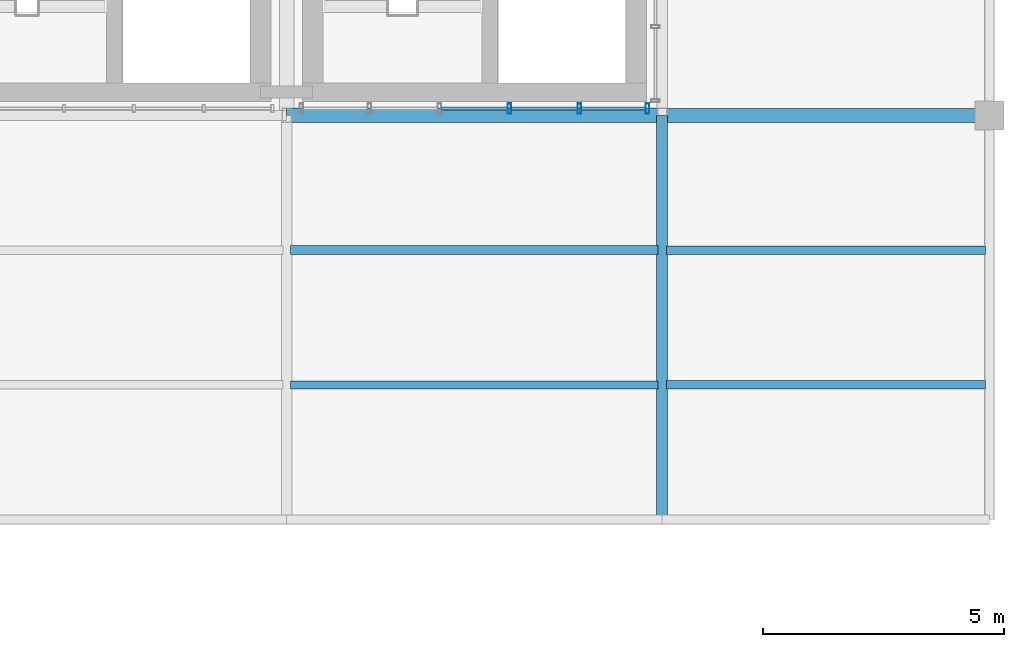
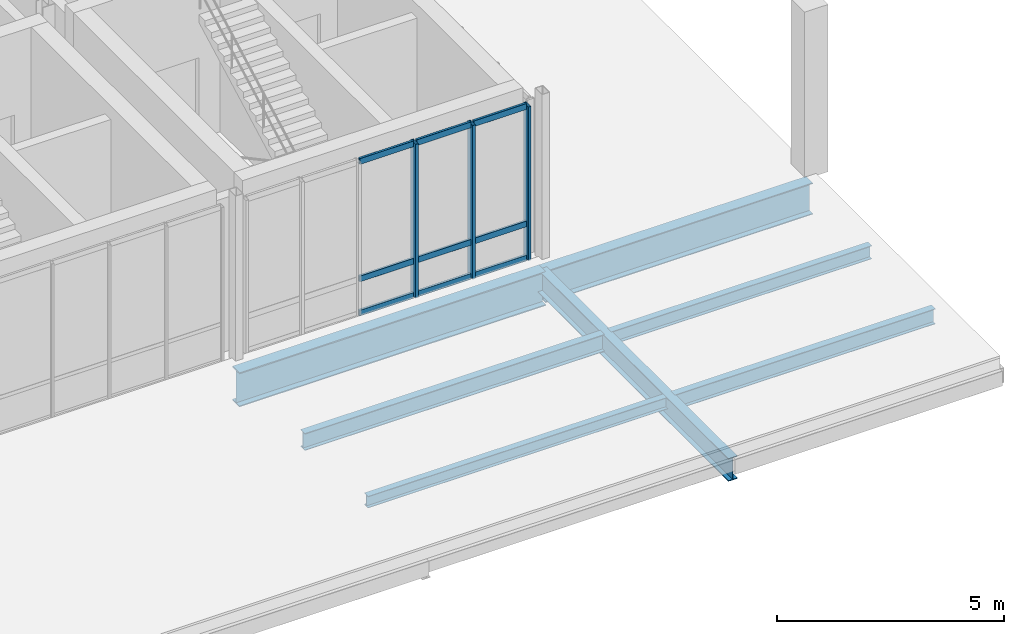
# One storey, part 38 of 66: 12 members, 7 beams, 1 element without a shape of its own.
"""IFC4 building model written with IfcOpenShell, lengths in metres."""

from ifc_helpers import new_model, si_unit, direction, frame, origin_with_axes, origin_2d_with_axis, place, context, subcontext, project, spatial, hollow_rectangle, i_section, extrude, material, material_profile, profile_set, type_object, element, aggregate, save


model = new_model("IFC4")

# Units and contexts
model_context = context("Model", 3, precision=1e-05, world=origin_with_axes(), true_north=direction((0.0, 1.0)))
body_context = subcontext(model_context, "Body", "Model", "MODEL_VIEW")
ifc_project = project(units=[si_unit("LENGTHUNIT", "METRE"), si_unit("AREAUNIT", "SQUARE_METRE"), si_unit("VOLUMEUNIT", "CUBIC_METRE"), si_unit("PLANEANGLEUNIT", "RADIAN"), si_unit("MASSUNIT", "GRAM", prefix="KILO"), si_unit("THERMODYNAMICTEMPERATUREUNIT", "KELVIN")], contexts=[model_context])

# Site, building, storey
site_placement = place(None, origin_with_axes())
site = spatial("IfcSite", under=ifc_project, at=site_placement, CompositionType="ELEMENT")
building_placement = place(site_placement, origin_with_axes())
building = spatial("IfcBuilding", under=site, at=building_placement, Name="Montbau Bow Law Courts", CompositionType="ELEMENT")
storey_placement = place(building_placement, frame((0.0, 0.0, 34.5), z_axis=(0.0, 0.0, 1.0), x_axis=(1.0, 0.0, 0.0)))
storey = spatial("IfcBuildingStorey", under=building, at=storey_placement, Name="L07", CompositionType="ELEMENT", Elevation=34.5)

# Beams
ifc_material_1 = material(Name="Steel CSA G40.21 Grade 350W (350 MPa)", Category="steel")
ifc_material_profile_1 = material_profile(ifc_material_1, i_section(OverallWidth=0.306, OverallDepth=0.919, WebThickness=0.0173, FlangeThickness=0.0279, at=origin_2d_with_axis()), Name="W920X253", Category="Main", Priority=0)
ifc_profile_set_1 = profile_set([ifc_material_profile_1], Name="Steel CSA G40.21 Grade 350W (350 MPa)")
beam_type_1 = type_object("IfcBeamType", Name="B-FLR-01", PredefinedType="BEAM", material=ifc_profile_set_1)
beam_1_placement = place(None, frame((154.8, 86.4, 33.751), z_axis=(1.0, 0.0, 0.0), x_axis=(0.0, 1.0, 0.0)))
element("IfcBeam", 1, at=beam_1_placement, inside=storey, type_object=beam_type_1, Name="BM-L07-S1344:bm2_1347", PredefinedType="BEAM", context=body_context, shape_type="SweptSolid", body=[
    extrude(i_section(OverallWidth=0.306, OverallDepth=0.919, WebThickness=0.0173, FlangeThickness=0.0279, at=origin_2d_with_axis()), origin_with_axes(), (0.0, 0.0, 1.0), 7.8),
])
ifc_material_profile_2 = material_profile(ifc_material_1, i_section(OverallWidth=0.293, OverallDepth=0.846, WebThickness=0.0154, FlangeThickness=0.0244, at=origin_2d_with_axis()), Name="W840X210", Category="Main", Priority=0)
ifc_profile_set_2 = profile_set([ifc_material_profile_2], Name="Steel CSA G40.21 Grade 350W (350 MPa)")
beam_type_2 = type_object("IfcBeamType", Name="B-FLR-02", PredefinedType="BEAM", material=ifc_profile_set_2)
beam_2_placement = place(None, frame((162.6, 86.4, 33.787), z_axis=(1.0, 0.0, 0.0), x_axis=(0.0, 1.0, 0.0)))
element("IfcBeam", 2, at=beam_2_placement, inside=storey, type_object=beam_type_2, Name="BM-L07-S1345:bm2_1348", PredefinedType="BEAM", context=body_context, shape_type="SweptSolid", body=[
    extrude(i_section(OverallWidth=0.293, OverallDepth=0.846, WebThickness=0.0154, FlangeThickness=0.0244, at=origin_2d_with_axis()), origin_with_axes(), (0.0, 0.0, 1.0), 6.8),
])
ifc_material_profile_3 = material_profile(ifc_material_1, i_section(OverallWidth=0.229, OverallDepth=0.612, WebThickness=0.0119, FlangeThickness=0.0196, at=origin_2d_with_axis()), Name="W610X125", Category="Main", Priority=0)
ifc_profile_set_3 = profile_set([ifc_material_profile_3], Name="Steel CSA G40.21 Grade 350W (350 MPa)")
beam_type_3 = type_object("IfcBeamType", Name="B-FLR-05", PredefinedType="BEAM", material=ifc_profile_set_3)
beam_3_placement = place(None, frame((162.6, 78.0, 33.904), z_axis=(0.0, 1.0, 0.0), x_axis=(-1.0, 0.0, 0.0)))
element("IfcBeam", 3, at=beam_3_placement, inside=storey, type_object=beam_type_3, Name="BM-L07-S1370:bm2_1373", PredefinedType="BEAM", context=body_context, shape_type="SweptSolid", body=[
    extrude(i_section(OverallWidth=0.229, OverallDepth=0.612, WebThickness=0.0119, FlangeThickness=0.0196, at=origin_2d_with_axis()), origin_with_axes(), (0.0, 0.0, 1.0), 8.4),
])
ifc_material_profile_4 = material_profile(ifc_material_1, i_section(OverallWidth=0.191, OverallDepth=0.46, WebThickness=0.0099, FlangeThickness=0.016, at=origin_2d_with_axis()), Name="W460X82", Category="Main", Priority=0)
ifc_profile_set_4 = profile_set([ifc_material_profile_4], Name="Steel CSA G40.21 Grade 350W (350 MPa)")
beam_type_4 = type_object("IfcBeamType", Name="B-JST-01", PredefinedType="JOIST", material=ifc_profile_set_4)
beam_4_placement = place(None, frame((154.881, 83.6, 33.98), z_axis=(1.0, 0.0, 0.0), x_axis=(0.0, 1.0, 0.0)))
element("IfcBeam", 4, at=beam_4_placement, inside=storey, type_object=beam_type_4, Name="JST-L07-S0752:jst2_0752", PredefinedType="JOIST", context=body_context, shape_type="SweptSolid", body=[
    extrude(i_section(OverallWidth=0.191, OverallDepth=0.46, WebThickness=0.0099, FlangeThickness=0.016, at=origin_2d_with_axis()), origin_with_axes(), (0.0, 0.0, 1.0), 7.629),
])
ifc_material_profile_5 = material_profile(ifc_material_1, i_section(OverallWidth=0.179, OverallDepth=0.41, WebThickness=0.0088, FlangeThickness=0.0144, at=origin_2d_with_axis()), Name="W410X67", Category="Main", Priority=0)
ifc_profile_set_5 = profile_set([ifc_material_profile_5], Name="Steel CSA G40.21 Grade 350W (350 MPa)")
beam_type_5 = type_object("IfcBeamType", Name="B-JST-02", PredefinedType="JOIST", material=ifc_profile_set_5)
beam_5_placement = place(None, frame((162.69, 80.8, 34.005), z_axis=(1.0, 0.0, 0.0), x_axis=(0.0, 1.0, 0.0)))
element("IfcBeam", 5, at=beam_5_placement, inside=storey, type_object=beam_type_5, Name="JST-L07-S0757:jst2_0757", PredefinedType="JOIST", context=body_context, shape_type="SweptSolid", body=[
    extrude(i_section(OverallWidth=0.179, OverallDepth=0.41, WebThickness=0.0088, FlangeThickness=0.0144, at=origin_2d_with_axis()), origin_with_axes(), (0.0, 0.0, 1.0), 6.63),
])
ifc_material_profile_6 = material_profile(ifc_material_1, i_section(OverallWidth=0.172, OverallDepth=0.358, WebThickness=0.0079, FlangeThickness=0.0131, at=origin_2d_with_axis()), Name="W360X57", Category="Main", Priority=0)
ifc_profile_set_6 = profile_set([ifc_material_profile_6], Name="Steel CSA G40.21 Grade 350W (350 MPa)")
beam_type_6 = type_object("IfcBeamType", Name="B-JST-03", PredefinedType="JOIST", material=ifc_profile_set_6)
beam_6_placement = place(None, frame((162.69, 83.6, 34.031), z_axis=(1.0, 0.0, 0.0), x_axis=(0.0, 1.0, 0.0)))
element("IfcBeam", 6, at=beam_6_placement, inside=storey, type_object=beam_type_6, Name="JST-L07-S0758:jst2_0758", PredefinedType="JOIST", context=body_context, shape_type="SweptSolid", body=[
    extrude(i_section(OverallWidth=0.172, OverallDepth=0.358, WebThickness=0.0079, FlangeThickness=0.0131, at=origin_2d_with_axis()), origin_with_axes(), (0.0, 0.0, 1.0), 6.63),
])
ifc_material_profile_7 = material_profile(ifc_material_1, i_section(OverallWidth=0.166, OverallDepth=0.313, WebThickness=0.0066, FlangeThickness=0.0112, at=origin_2d_with_axis()), Name="W310X45", Category="Main", Priority=0)
ifc_profile_set_7 = profile_set([ifc_material_profile_7], Name="Steel CSA G40.21 Grade 350W (350 MPa)")
beam_type_7 = type_object("IfcBeamType", Name="B-JST-04", PredefinedType="JOIST", material=ifc_profile_set_7)
beam_7_placement = place(None, frame((154.881, 80.8, 34.053), z_axis=(1.0, 0.0, 0.0), x_axis=(0.0, 1.0, 0.0)))
element("IfcBeam", 7, at=beam_7_placement, inside=storey, type_object=beam_type_7, Name="JST-L07-S0751:jst2_0751", PredefinedType="JOIST", context=body_context, shape_type="SweptSolid", body=[
    extrude(i_section(OverallWidth=0.166, OverallDepth=0.313, WebThickness=0.0066, FlangeThickness=0.0112, at=origin_2d_with_axis()), origin_with_axes(), (0.0, 0.0, 1.0), 7.629),
])

# Curtain wall, members
ifc_material_2 = material(Name="Thermally Broken Extruded Aluminium AA 6063-T6", Category="aluminium")
curtain_wall_type = type_object("IfcCurtainWallType", Name="CW-NCK-03", PredefinedType="NOTDEFINED", material=ifc_material_2)
curtain_wall_placement = place(None, frame((155.068, 86.54, 34.5), z_axis=(0.0, 0.0, 1.0), x_axis=(1.0, 0.0, 0.0)))
curtain_wall = element("IfcCurtainWall", 8, at=curtain_wall_placement, inside=storey, type_object=curtain_wall_type, Name="CW-L07-366:cw_0366", PredefinedType="NOTDEFINED")
ifc_material_profile_8 = material_profile(ifc_material_2, hollow_rectangle(XDim=0.075, YDim=0.22, WallThickness=0.005, InnerFilletRadius=0.01, OuterFilletRadius=0.005, at=origin_2d_with_axis()), Name="CWM-220X75", Category="Main", Priority=0)
ifc_profile_set_8 = profile_set([ifc_material_profile_8], Name="Thermally Broken Extruded Aluminium AA 6063-T6")
member_type_1 = type_object("IfcMemberType", Name="M-MUL-01", PredefinedType="MULLION", material=ifc_profile_set_8)
member_1_placement = place(None, frame((159.426, 86.54, 34.5), z_axis=(0.0, 0.0, 1.0), x_axis=(1.0, 0.0, 0.0)))
member_1 = element("IfcMember", 9, at=member_1_placement, type_object=member_type_1, Name="CW-L07-366-M04:cw_0366_M04", PredefinedType="MULLION", context=body_context, shape_type="SweptSolid", body=[
    extrude(hollow_rectangle(XDim=0.075, YDim=0.22, WallThickness=0.005, InnerFilletRadius=0.01, OuterFilletRadius=0.005, at=origin_2d_with_axis()), origin_with_axes(), (0.0, 0.0, 1.0), 4.14),
])
member_2_placement = place(None, frame((160.879, 86.54, 34.5), z_axis=(0.0, 0.0, 1.0), x_axis=(1.0, 0.0, 0.0)))
member_2 = element("IfcMember", 10, at=member_2_placement, type_object=member_type_1, Name="CW-L07-366-M05:cw_0366_M05", PredefinedType="MULLION", context=body_context, shape_type="SweptSolid", body=[
    extrude(hollow_rectangle(XDim=0.075, YDim=0.22, WallThickness=0.005, InnerFilletRadius=0.01, OuterFilletRadius=0.005, at=origin_2d_with_axis()), origin_with_axes(), (0.0, 0.0, 1.0), 4.14),
])
member_3_placement = place(None, frame((162.294, 86.54, 34.5), z_axis=(0.0, 0.0, 1.0), x_axis=(1.0, 0.0, 0.0)))
member_3 = element("IfcMember", 11, at=member_3_placement, type_object=member_type_1, Name="CW-L07-366-M06:cw_0366_M06", PredefinedType="MULLION", context=body_context, shape_type="SweptSolid", body=[
    extrude(hollow_rectangle(XDim=0.075, YDim=0.22, WallThickness=0.005, InnerFilletRadius=0.01, OuterFilletRadius=0.005, at=origin_2d_with_axis()), origin_with_axes(), (0.0, 0.0, 1.0), 4.14),
])
ifc_material_profile_9 = material_profile(ifc_material_2, hollow_rectangle(XDim=0.06, YDim=0.16, WallThickness=0.004, InnerFilletRadius=0.008, OuterFilletRadius=0.004, at=origin_2d_with_axis()), Name="CWT-160X60", Category="Main", Priority=0)
ifc_profile_set_9 = profile_set([ifc_material_profile_9], Name="Thermally Broken Extruded Aluminium AA 6063-T6")
member_type_2 = type_object("IfcMemberType", Name="M-TRN-01", PredefinedType="USERDEFINED", material=ifc_profile_set_9)
member_4_placement = place(None, frame((158.014, 86.54, 34.53), z_axis=(1.0, 0.0, 0.0), x_axis=(0.0, 1.0, 0.0)))
member_4 = element("IfcMember", 12, at=member_4_placement, type_object=member_type_2, Name="CW-L07-366-T03-1:cw_0366_T03_1", ObjectType="TRANSOM", PredefinedType="USERDEFINED", context=body_context, shape_type="SweptSolid", body=[
    extrude(hollow_rectangle(XDim=0.06, YDim=0.16, WallThickness=0.004, InnerFilletRadius=0.008, OuterFilletRadius=0.004, at=origin_2d_with_axis()), origin_with_axes(), (0.0, 0.0, 1.0), 1.373),
])
member_5_placement = place(None, frame((158.014, 86.54, 35.45), z_axis=(1.0, 0.0, 0.0), x_axis=(0.0, 1.0, 0.0)))
member_5 = element("IfcMember", 13, at=member_5_placement, type_object=member_type_2, Name="CW-L07-366-T03-2:cw_0366_T03_2", ObjectType="TRANSOM", PredefinedType="USERDEFINED", context=body_context, shape_type="SweptSolid", body=[
    extrude(hollow_rectangle(XDim=0.06, YDim=0.16, WallThickness=0.004, InnerFilletRadius=0.008, OuterFilletRadius=0.004, at=origin_2d_with_axis()), origin_with_axes(), (0.0, 0.0, 1.0), 1.373),
])
member_6_placement = place(None, frame((158.014, 86.54, 38.61), z_axis=(1.0, 0.0, 0.0), x_axis=(0.0, 1.0, 0.0)))
member_6 = element("IfcMember", 14, at=member_6_placement, type_object=member_type_2, Name="CW-L07-366-T03-3:cw_0366_T03_3", ObjectType="TRANSOM", PredefinedType="USERDEFINED", context=body_context, shape_type="SweptSolid", body=[
    extrude(hollow_rectangle(XDim=0.06, YDim=0.16, WallThickness=0.004, InnerFilletRadius=0.008, OuterFilletRadius=0.004, at=origin_2d_with_axis()), origin_with_axes(), (0.0, 0.0, 1.0), 1.373),
])
member_7_placement = place(None, frame((159.465, 86.54, 34.53), z_axis=(1.0, 0.0, 0.0), x_axis=(0.0, 1.0, 0.0)))
member_7 = element("IfcMember", 15, at=member_7_placement, type_object=member_type_2, Name="CW-L07-366-T04-1:cw_0366_T04_1", ObjectType="TRANSOM", PredefinedType="USERDEFINED", context=body_context, shape_type="SweptSolid", body=[
    extrude(hollow_rectangle(XDim=0.06, YDim=0.16, WallThickness=0.004, InnerFilletRadius=0.008, OuterFilletRadius=0.004, at=origin_2d_with_axis()), origin_with_axes(), (0.0, 0.0, 1.0), 1.375),
])
member_8_placement = place(None, frame((159.465, 86.54, 35.45), z_axis=(1.0, 0.0, 0.0), x_axis=(0.0, 1.0, 0.0)))
member_8 = element("IfcMember", 16, at=member_8_placement, type_object=member_type_2, Name="CW-L07-366-T04-2:cw_0366_T04_2", ObjectType="TRANSOM", PredefinedType="USERDEFINED", context=body_context, shape_type="SweptSolid", body=[
    extrude(hollow_rectangle(XDim=0.06, YDim=0.16, WallThickness=0.004, InnerFilletRadius=0.008, OuterFilletRadius=0.004, at=origin_2d_with_axis()), origin_with_axes(), (0.0, 0.0, 1.0), 1.375),
])
member_9_placement = place(None, frame((159.465, 86.54, 38.61), z_axis=(1.0, 0.0, 0.0), x_axis=(0.0, 1.0, 0.0)))
member_9 = element("IfcMember", 17, at=member_9_placement, type_object=member_type_2, Name="CW-L07-366-T04-3:cw_0366_T04_3", ObjectType="TRANSOM", PredefinedType="USERDEFINED", context=body_context, shape_type="SweptSolid", body=[
    extrude(hollow_rectangle(XDim=0.06, YDim=0.16, WallThickness=0.004, InnerFilletRadius=0.008, OuterFilletRadius=0.004, at=origin_2d_with_axis()), origin_with_axes(), (0.0, 0.0, 1.0), 1.375),
])
member_10_placement = place(None, frame((160.918, 86.54, 34.53), z_axis=(1.0, 0.0, 0.0), x_axis=(0.0, 1.0, 0.0)))
member_10 = element("IfcMember", 18, at=member_10_placement, type_object=member_type_2, Name="CW-L07-366-T05-1:cw_0366_T05_1", ObjectType="TRANSOM", PredefinedType="USERDEFINED", context=body_context, shape_type="SweptSolid", body=[
    extrude(hollow_rectangle(XDim=0.06, YDim=0.16, WallThickness=0.004, InnerFilletRadius=0.008, OuterFilletRadius=0.004, at=origin_2d_with_axis()), origin_with_axes(), (0.0, 0.0, 1.0), 1.337),
])
member_11_placement = place(None, frame((160.918, 86.54, 35.45), z_axis=(1.0, 0.0, 0.0), x_axis=(0.0, 1.0, 0.0)))
member_11 = element("IfcMember", 19, at=member_11_placement, type_object=member_type_2, Name="CW-L07-366-T05-2:cw_0366_T05_2", ObjectType="TRANSOM", PredefinedType="USERDEFINED", context=body_context, shape_type="SweptSolid", body=[
    extrude(hollow_rectangle(XDim=0.06, YDim=0.16, WallThickness=0.004, InnerFilletRadius=0.008, OuterFilletRadius=0.004, at=origin_2d_with_axis()), origin_with_axes(), (0.0, 0.0, 1.0), 1.337),
])
member_12_placement = place(None, frame((160.918, 86.54, 38.61), z_axis=(1.0, 0.0, 0.0), x_axis=(0.0, 1.0, 0.0)))
member_12 = element("IfcMember", 20, at=member_12_placement, type_object=member_type_2, Name="CW-L07-366-T05-3:cw_0366_T05_3", ObjectType="TRANSOM", PredefinedType="USERDEFINED", context=body_context, shape_type="SweptSolid", body=[
    extrude(hollow_rectangle(XDim=0.06, YDim=0.16, WallThickness=0.004, InnerFilletRadius=0.008, OuterFilletRadius=0.004, at=origin_2d_with_axis()), origin_with_axes(), (0.0, 0.0, 1.0), 1.337),
])
aggregate(curtain_wall, [member_1, member_2, member_3, member_4, member_5, member_6, member_7, member_8, member_9, member_10, member_11, member_12])

save(model, "model.ifc")
